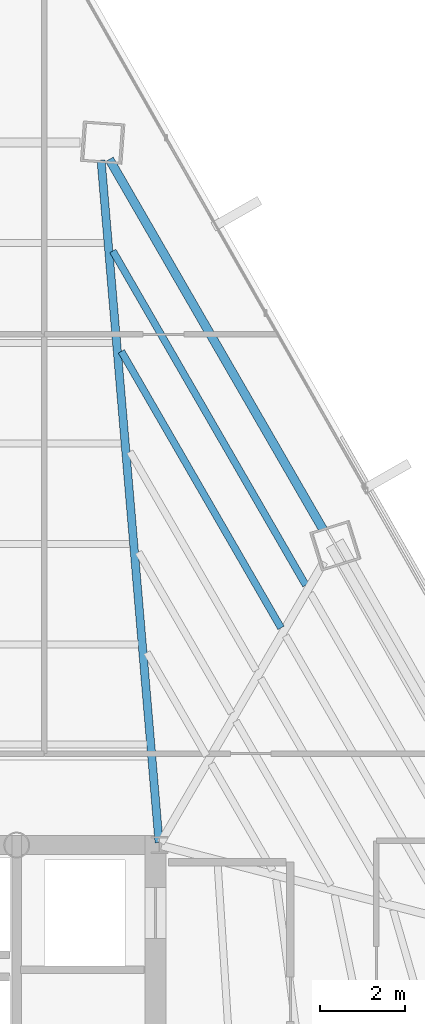
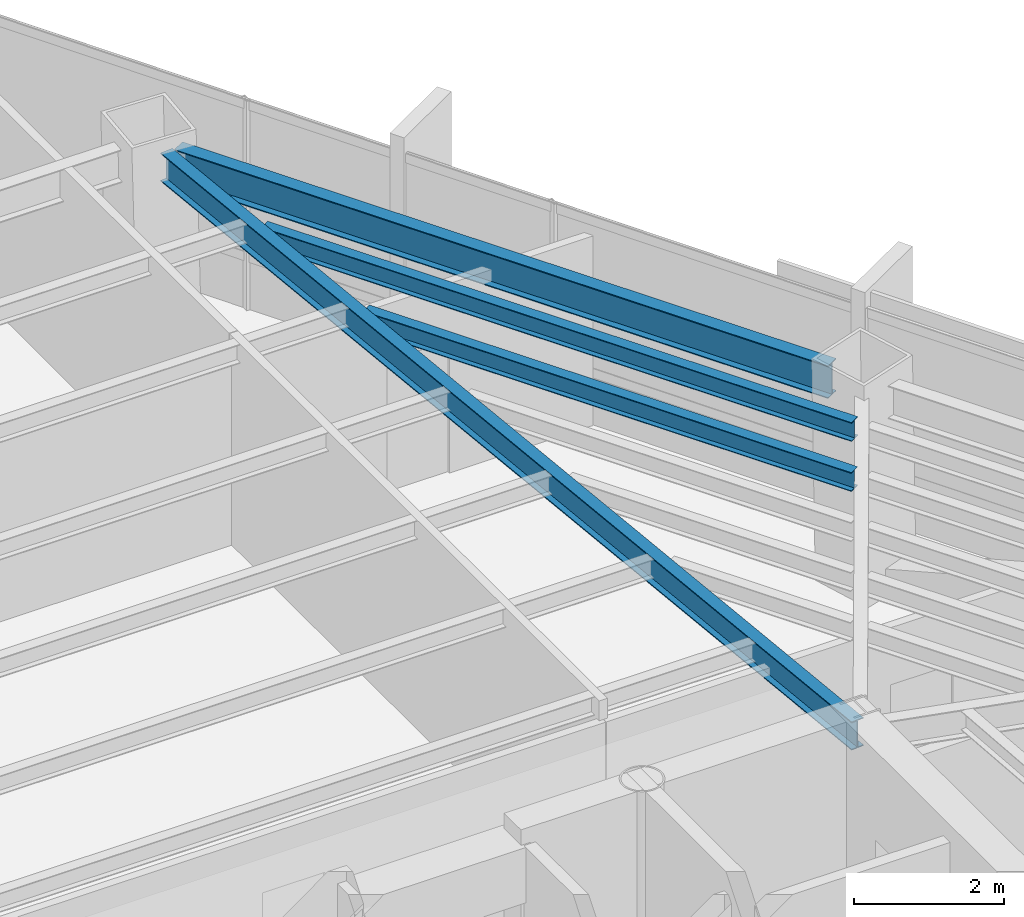
# One storey, part 30 of 38: 4 beams.
"""IFC4 building model written with IfcOpenShell, lengths in metres."""

from ifc_helpers import new_model, si_unit, direction, frame, origin, origin_2d, place, context, subcontext, project, spatial, i_section, extrude, source, transform, mapped, material, material_profile, profile_set, type_object, type_shapes, element, save


model = new_model("IFC4")

# Units and contexts
model_context = context("Model", 3, precision=1e-05, world=origin(), true_north=direction((0.0, 1.0)))
body_context = subcontext(model_context, "Body", "Model", "MODEL_VIEW")
ifc_project = project(units=[si_unit("LENGTHUNIT", "METRE"), si_unit("AREAUNIT", "SQUARE_METRE"), si_unit("VOLUMEUNIT", "CUBIC_METRE"), si_unit("PLANEANGLEUNIT", "RADIAN"), si_unit("MASSUNIT", "GRAM", prefix="KILO")], contexts=[model_context])

# Site, building, storey
site_placement = place(None, origin())
site = spatial("IfcSite", under=ifc_project, at=site_placement, CompositionType="ELEMENT")
building_placement = place(site_placement, origin())
building = spatial("IfcBuilding", under=site, at=building_placement, Name="Caelisora Broadcast Tower", CompositionType="ELEMENT")
storey_placement = place(building_placement, frame((0.0, 0.0, 158.5)))
storey = spatial("IfcBuildingStorey", under=building, at=storey_placement, Name="L41", CompositionType="ELEMENT", Elevation=158.5)

# Beams
ifc_material = material(Name="Steel Grade 350 (AS/NZS 3679.1)", Category="steel")
ifc_material_profile_1 = material_profile(ifc_material, i_section(OverallWidth=0.208984375, OverallDepth=0.532958984375, WebThickness=0.01025390625, FlangeThickness=0.015625, at=origin_2d()), Name="Steel Grade 350 (AS/NZS 3679.1)")
ifc_profile_set_1 = profile_set([ifc_material_profile_1], Name="Steel Grade 350 (AS/NZS 3679.1)")
beam_type_1 = type_object("IfcBeamType", Name="PG05", PredefinedType="BEAM", material=ifc_profile_set_1)
shared_shape_1 = source(origin(), body_context, "Body", "SweptSolid", [
    extrude(i_section(OverallWidth=0.208984375, OverallDepth=0.532958984375, WebThickness=0.01025390625, FlangeThickness=0.015625, at=origin_2d()), origin(), (0.0, 0.0, 1.0), 10.042724609375),
])
type_shapes(beam_type_1, [shared_shape_1])
beam_1_placement = place(storey_placement, frame((49.348876953125, 37.4130859375, 3.133544921875), z_axis=(-0.500008642379, 0.866020414047, 0.0), x_axis=(-0.866020414047, -0.500008642379, 0.0)))
element("IfcBeam", 1, at=beam_1_placement, inside=storey, type_object=beam_type_1, Name="L41 beam PG05", PredefinedType="BEAM", context=body_context, shape_type="MappedRepresentation", body=[
    mapped(shared_shape_1, transform((0.0, 0.0, 0.0), scale=1.0)),
])
ifc_material_profile_2 = material_profile(ifc_material, i_section(OverallWidth=0.19091796875, OverallDepth=0.46044921875, WebThickness=0.010009765625, FlangeThickness=0.01611328125, at=origin_2d()), Name="Steel Grade 350 (AS/NZS 3679.1)")
ifc_profile_set_2 = profile_set([ifc_material_profile_2], Name="Steel Grade 350 (AS/NZS 3679.1)")
beam_type_2 = type_object("IfcBeamType", Name="PG06", PredefinedType="BEAM", material=ifc_profile_set_2)
shared_shape_2 = source(origin(), body_context, "Body", "SweptSolid", [
    extrude(i_section(OverallWidth=0.19091796875, OverallDepth=0.46044921875, WebThickness=0.010009765625, FlangeThickness=0.01611328125, at=origin_2d()), origin(), (0.0, 0.0, 1.0), 16.08837890625),
])
type_shapes(beam_type_2, [shared_shape_2])
beam_2_placement = place(storey_placement, frame((45.494873046875, 30.059814453125, 3.169921875), z_axis=(-0.084646605405, 0.996411035765, 0.0), x_axis=(-0.996411035765, -0.084646605405, 0.0)))
element("IfcBeam", 2, at=beam_2_placement, inside=storey, type_object=beam_type_2, Name="L41 beam PG06", PredefinedType="BEAM", context=body_context, shape_type="MappedRepresentation", body=[
    mapped(shared_shape_2, transform((0.0, 0.0, 0.0), scale=1.0)),
])
ifc_material_profile_3 = material_profile(ifc_material, i_section(OverallWidth=0.166015625, OverallDepth=0.30712890625, WebThickness=0.006591796875, FlangeThickness=0.01171875, at=origin_2d()), Name="Steel Grade 350 (AS/NZS 3679.1)")
ifc_profile_set_3 = profile_set([ifc_material_profile_3], Name="Steel Grade 350 (AS/NZS 3679.1)")
beam_type_3 = type_object("IfcBeamType", Name="SB03", PredefinedType="JOIST", material=ifc_profile_set_3)
shared_shape_3 = source(origin(), body_context, "Body", "SweptSolid", [
    extrude(i_section(OverallWidth=0.166015625, OverallDepth=0.30712890625, WebThickness=0.006591796875, FlangeThickness=0.01171875, at=origin_2d()), origin(), (0.0, 0.0, 1.0), 7.501708984375),
])
beam_3_placement = place(storey_placement, frame((48.35986328125, 35.103271484375, 3.246337890625), z_axis=(-0.500017313785, 0.866015407435, 0.0), x_axis=(-0.866015407435, -0.500017313785, 0.0)))
element("IfcBeam", 3, at=beam_3_placement, inside=storey, type_object=beam_type_3, Name="L41 beam SB03", PredefinedType="JOIST", context=body_context, shape_type="MappedRepresentation", body=[
    mapped(shared_shape_3, transform((0.0, 0.0, 0.0), scale=1.0)),
])
shared_shape_4 = source(origin(), body_context, "Body", "SweptSolid", [
    extrude(i_section(OverallWidth=0.166015625, OverallDepth=0.30712890625, WebThickness=0.006591796875, FlangeThickness=0.01171875, at=origin_2d()), origin(), (0.0, 0.0, 1.0), 9.06787109375),
])
type_shapes(beam_type_3, [shared_shape_3, shared_shape_4])
beam_4_placement = place(storey_placement, frame((48.942626953125, 36.105224609375, 3.246337890625), z_axis=(-0.499999015427, 0.866025972227, 0.0), x_axis=(-0.866025972227, -0.499999015427, 0.0)))
element("IfcBeam", 4, at=beam_4_placement, inside=storey, type_object=beam_type_3, Name="L41 beam SB03", PredefinedType="JOIST", context=body_context, shape_type="MappedRepresentation", body=[
    mapped(shared_shape_4, transform((0.0, 0.0, 0.0), scale=1.0)),
])

save(model, "model.ifc")
